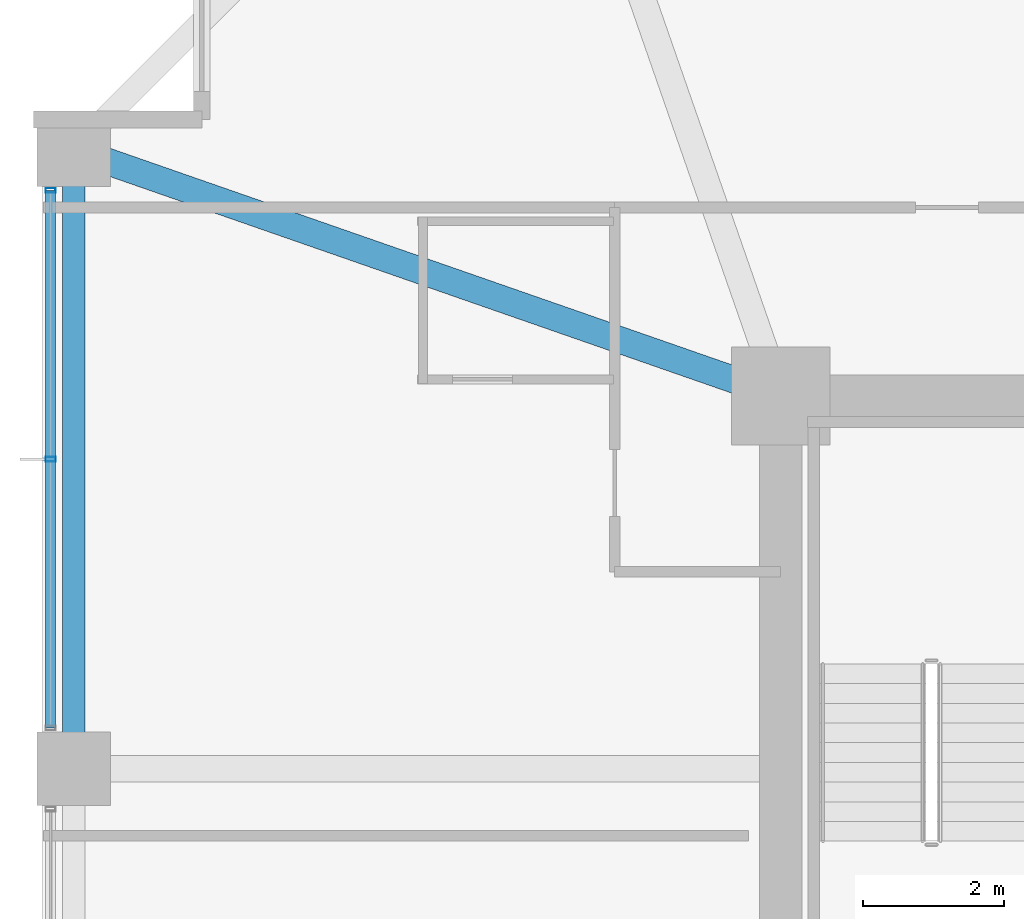
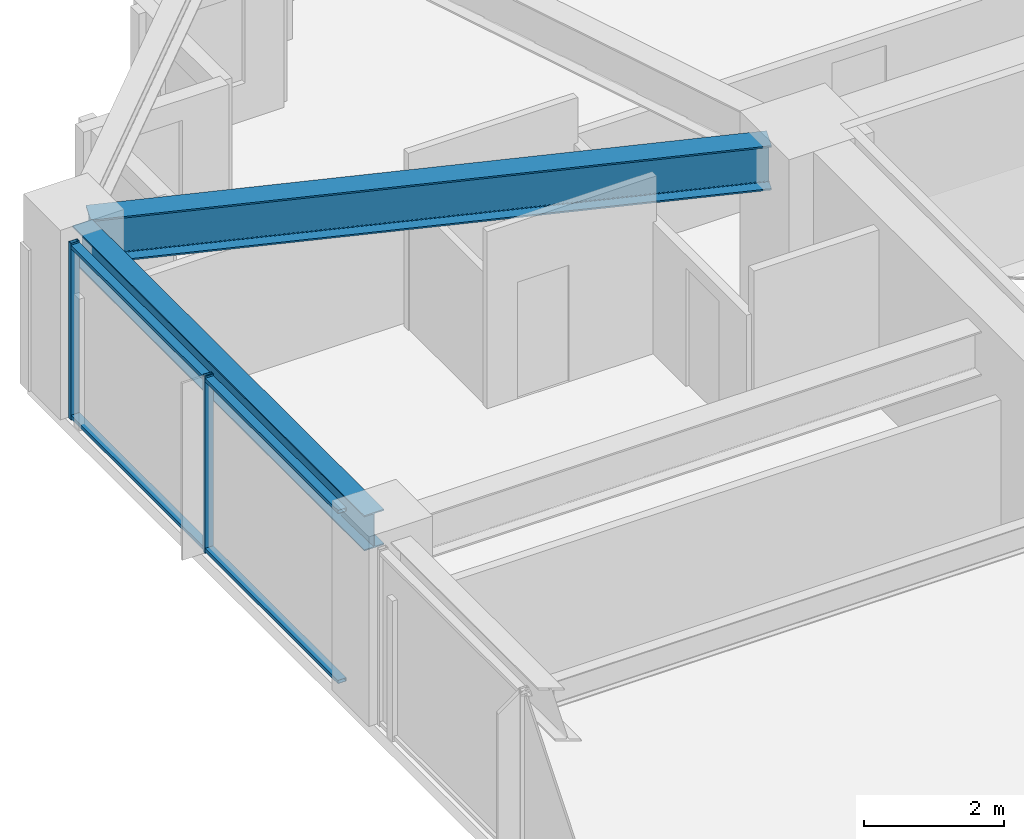
# One storey, part 17 of 38: 4 members, 2 beams, 1 element without a shape of its own.
"""IFC4 building model written with IfcOpenShell, lengths in metres."""

from ifc_helpers import new_model, si_unit, direction, frame, origin, origin_2d, place, context, subcontext, project, spatial, hollow_rectangle, i_section, extrude, material, material_profile, profile_set, type_object, element, aggregate, save


model = new_model("IFC4")

# Units and contexts
model_context = context("Model", 3, precision=1e-05, world=origin(), true_north=direction((0.0, 1.0)))
body_context = subcontext(model_context, "Body", "Model", "MODEL_VIEW")
ifc_project = project(units=[si_unit("LENGTHUNIT", "METRE"), si_unit("AREAUNIT", "SQUARE_METRE"), si_unit("VOLUMEUNIT", "CUBIC_METRE"), si_unit("PLANEANGLEUNIT", "RADIAN"), si_unit("MASSUNIT", "GRAM", prefix="KILO")], contexts=[model_context])

# Site, building, storey
site_placement = place(None, origin())
site = spatial("IfcSite", under=ifc_project, at=site_placement, CompositionType="ELEMENT")
building_placement = place(site_placement, origin())
building = spatial("IfcBuilding", under=site, at=building_placement, Name="Kolvaren Belvedere", CompositionType="ELEMENT")
storey_placement = place(building_placement, frame((0.0, 0.0, 98.60009765625)))
storey = spatial("IfcBuildingStorey", under=building, at=storey_placement, Name="L28", CompositionType="ELEMENT", Elevation=98.60009765625)

# Beams
ifc_material_1 = material(Name="Structural steel ASTM A992 Grade 50", Category="steel")
ifc_material_profile_1 = material_profile(ifc_material_1, i_section(OverallWidth=0.381103515625, OverallDepth=0.77294921875, WebThickness=0.0166015625, FlangeThickness=0.027099609375, FilletRadius=0.02392578125, at=origin_2d()), Name="W30X173")
ifc_profile_set_1 = profile_set([ifc_material_profile_1], Name="Structural steel ASTM A992 Grade 50")
beam_type_1 = type_object("IfcBeamType", Name="BM-GIRD-W30X173", PredefinedType="BEAM", material=ifc_profile_set_1)
beam_1_placement = place(storey_placement, frame((-10.41943359375, 10.080810546875, 2.693359375), z_axis=(-0.944371408538, 0.328880894453, 0.0), x_axis=(-0.328880894453, -0.944371408538, 0.0)))
element("IfcBeam", 1, at=beam_1_placement, inside=storey, type_object=beam_type_1, Name="L28 Corner Core-to-Perimeter Girder CC4-W4", PredefinedType="BEAM", context=body_context, shape_type="SweptSolid", body=[
    extrude(i_section(OverallWidth=0.381103515625, OverallDepth=0.77294921875, WebThickness=0.0166015625, FlangeThickness=0.027099609375, FilletRadius=0.02392578125, at=origin_2d()), origin(), (0.0, 0.0, 1.0), 9.882080078125),
])
ifc_material_2 = material(Name="Structural steel ASTM A992 Grade 50", Category="steel")
ifc_material_profile_2 = material_profile(ifc_material_2, i_section(OverallWidth=0.324951171875, OverallDepth=0.615966796875, WebThickness=0.013916015625, FlangeThickness=0.021484375, FilletRadius=0.02001953125, at=origin_2d()), Name="W24X117")
ifc_profile_set_2 = profile_set([ifc_material_profile_2], Name="Structural steel ASTM A992 Grade 50")
beam_type_2 = type_object("IfcBeamType", Name="BM-SPAN-W24X117", PredefinedType="SPANDREL", material=ifc_profile_set_2)
beam_2_placement = place(storey_placement, frame((-19.949951171875, 13.163818359375, 2.77197265625), z_axis=(0.0, -1.0, 0.0), x_axis=(1.0, 0.0, 0.0)))
element("IfcBeam", 2, at=beam_2_placement, inside=storey, type_object=beam_type_2, Name="L28 Perimeter Spandrel W4-W3", PredefinedType="SPANDREL", context=body_context, shape_type="SweptSolid", body=[
    extrude(i_section(OverallWidth=0.324951171875, OverallDepth=0.615966796875, WebThickness=0.013916015625, FlangeThickness=0.021484375, FilletRadius=0.02001953125, at=origin_2d()), origin(), (0.0, 0.0, 1.0), 8.32763671875),
])

# Curtain wall, members
ifc_material_3 = material(Name="Anodised pale-metal aluminium AA 6063-T6", Category="aluminium")
curtain_wall_type = type_object("IfcCurtainWallType", Name="CW-Z2-MID", PredefinedType="NOTDEFINED", material=ifc_material_3)
curtain_wall_placement = place(storey_placement, origin())
curtain_wall = element("IfcCurtainWall", 3, at=curtain_wall_placement, inside=storey, type_object=curtain_wall_type, Name="L28 Unitised Curtain Wall FCW-L28-W-B3", PredefinedType="NOTDEFINED")
ifc_material_4 = material(Name="Anodised pale-metal aluminium AA 6063-T6", Category="aluminium")
ifc_material_profile_3 = material_profile(ifc_material_4, hollow_rectangle(XDim=0.06494140625, YDim=0.139892578125, WallThickness=0.00390625, at=origin_2d()), Name="ALU-MUL-140X65")
ifc_profile_set_3 = profile_set([ifc_material_profile_3], Name="Anodised pale-metal aluminium AA 6063-T6")
member_type_1 = type_object("IfcMemberType", Name="CW-MUL-140", PredefinedType="MULLION", material=ifc_profile_set_3)
member_1_placement = place(storey_placement, frame((-20.280029296875, 9.0, 0.0), z_axis=(0.0, 0.0, 1.0), x_axis=(0.0, 1.0, 0.0)))
member_1 = element("IfcMember", 4, at=member_1_placement, type_object=member_type_1, Name="FCW-L28-W-B3 Unitised Mullion 2", PredefinedType="MULLION", context=body_context, shape_type="SweptSolid", body=[
    extrude(hollow_rectangle(XDim=0.06494140625, YDim=0.139892578125, WallThickness=0.00390625, at=origin_2d()), origin(), (0.0, 0.0, 1.0), 3.079833984375),
])
member_2_placement = place(storey_placement, frame((-20.280029296875, 12.822509765625, 0.0), z_axis=(0.0, 0.0, 1.0), x_axis=(0.0, 1.0, 0.0)))
member_2 = element("IfcMember", 5, at=member_2_placement, type_object=member_type_1, Name="FCW-L28-W-B3 Unitised Mullion 3", PredefinedType="MULLION", context=body_context, shape_type="SweptSolid", body=[
    extrude(hollow_rectangle(XDim=0.06494140625, YDim=0.139892578125, WallThickness=0.00390625, at=origin_2d()), origin(), (0.0, 0.0, 1.0), 3.079833984375),
])
ifc_material_5 = material(Name="Anodised pale-metal aluminium AA 6063-T6", Category="aluminium")
ifc_material_profile_4 = material_profile(ifc_material_5, hollow_rectangle(XDim=0.06005859375, YDim=0.139892578125, WallThickness=0.00390625, at=origin_2d()), Name="ALU-TRN-140X60")
ifc_profile_set_4 = profile_set([ifc_material_profile_4], Name="Anodised pale-metal aluminium AA 6063-T6")
member_type_2 = type_object("IfcMemberType", Name="CW-TRN-140", PredefinedType="USERDEFINED", material=ifc_profile_set_4)
member_3_placement = place(storey_placement, frame((-20.280029296875, 5.177490234375, 0.059814453125), z_axis=(0.0, 1.0, 0.0), x_axis=(0.0, 0.0, 1.0)))
member_3 = element("IfcMember", 6, at=member_3_placement, type_object=member_type_2, Name="FCW-L28-W-B3 Sill Transom", ObjectType="TRANSOM", PredefinedType="USERDEFINED", context=body_context, shape_type="SweptSolid", body=[
    extrude(hollow_rectangle(XDim=0.06005859375, YDim=0.139892578125, WallThickness=0.00390625, at=origin_2d()), origin(), (0.0, 0.0, 1.0), 7.64501953125),
])
member_4_placement = place(storey_placement, frame((-20.280029296875, 5.177490234375, 3.02001953125), z_axis=(0.0, 1.0, 0.0), x_axis=(0.0, 0.0, 1.0)))
member_4 = element("IfcMember", 7, at=member_4_placement, type_object=member_type_2, Name="FCW-L28-W-B3 Head Transom", ObjectType="TRANSOM", PredefinedType="USERDEFINED", context=body_context, shape_type="SweptSolid", body=[
    extrude(hollow_rectangle(XDim=0.06005859375, YDim=0.139892578125, WallThickness=0.00390625, at=origin_2d()), origin(), (0.0, 0.0, 1.0), 7.64501953125),
])
aggregate(curtain_wall, [member_1, member_2, member_3, member_4])

save(model, "model.ifc")
